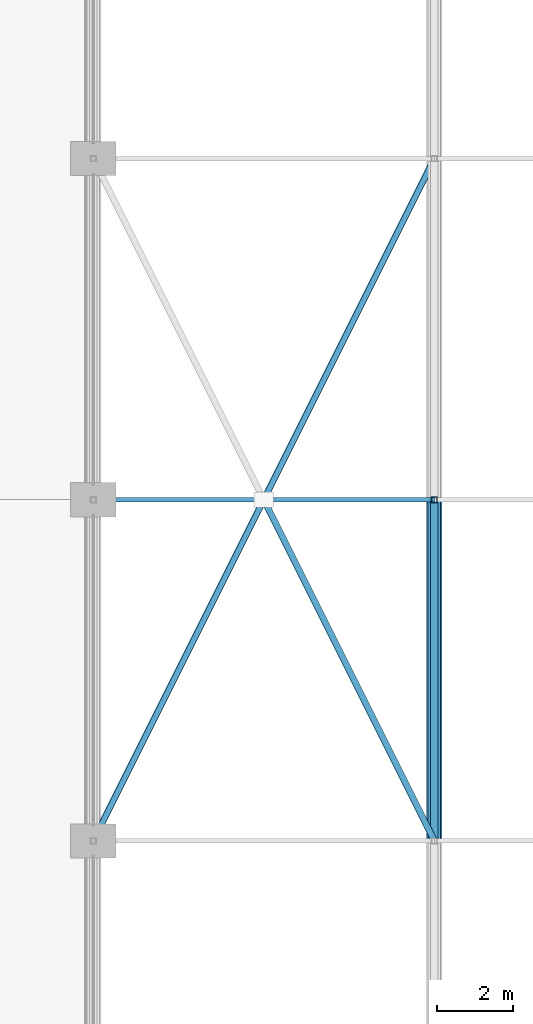
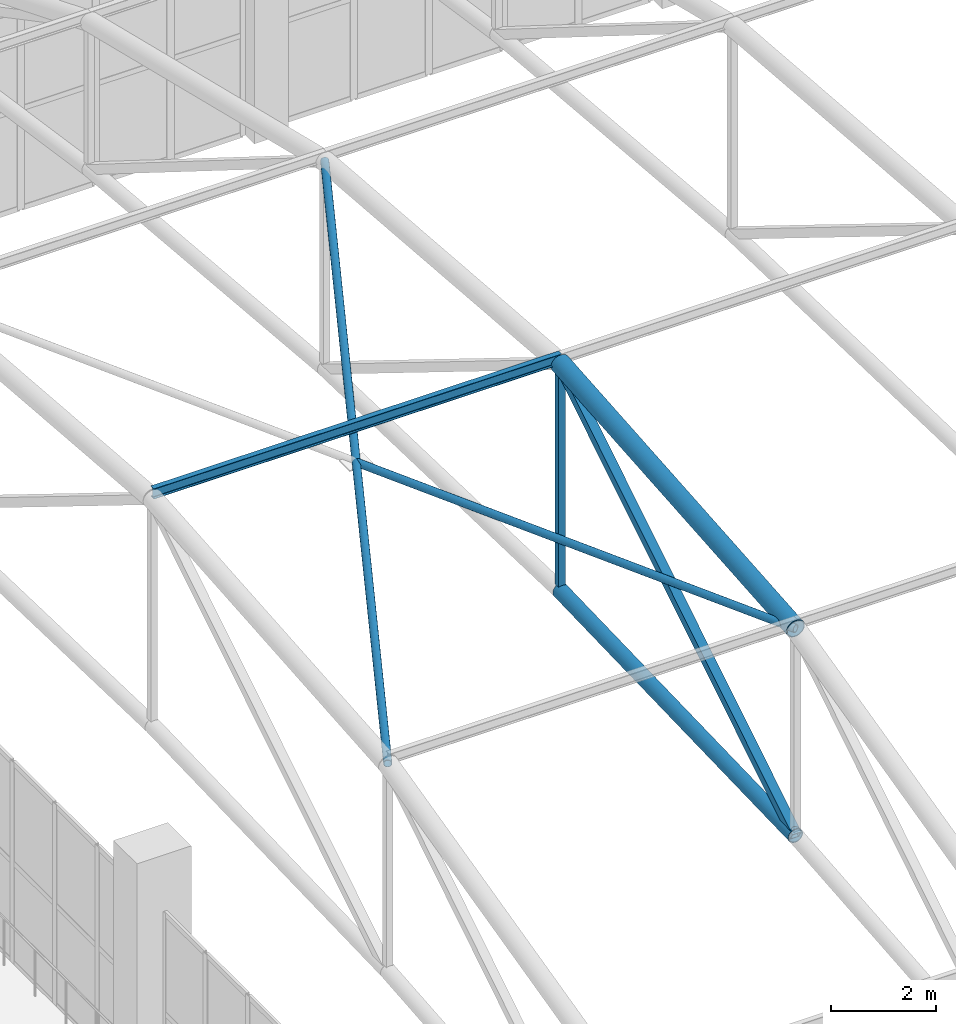
# One storey, part 113 of 223: 7 members.
"""IFC4 building model written with IfcOpenShell, lengths in metres."""

import ifcopenshell
import ifcopenshell.guid

model = None  # the IFC model being written
_history = None  # IfcOwnerHistory: only IFC2X3 demands one
_inside = {}  # id of a spatial element -> (the spatial element, [elements in it])
_under = {}  # id of a project, library or spatial element -> (it, [spatial elements below it])
_declared = {}  # id of a project -> (the project, [libraries it declares])
_typed = {}  # id of a type object -> (the type object, [elements of that type])
_made_of = {}  # id of a material, layer set ... -> (it, [elements and type objects made of it])


def new_model(schema):
    """Start an empty IFC model of exactly this schema.

    Asked for "IFC4X3", IfcOpenShell would pick the latest addendum, in which some entities
    have other attributes; the version numbers below select the first issue.
    IFC2X3 requires an IfcOwnerHistory on every rooted entity: one is made here for all.
    """
    global model, _history
    if schema == "IFC4X3":
        model = ifcopenshell.file(schema_version=(4, 3, 0, 0))
    else:
        model = ifcopenshell.file(schema=schema)
    _inside.clear()
    _under.clear()
    _declared.clear()
    _typed.clear()
    _made_of.clear()
    _history = None
    if model.schema == "IFC2X3":
        org = make("IfcOrganization", Name="unknown")
        user = make(
            "IfcPersonAndOrganization",
            ThePerson=make("IfcPerson", FamilyName="unknown"),
            TheOrganization=org,
        )
        app = make(
            "IfcApplication",
            ApplicationDeveloper=org,
            Version="unknown",
            ApplicationFullName="unknown",
            ApplicationIdentifier="unknown",
        )
        _history = make(
            "IfcOwnerHistory",
            OwningUser=user,
            OwningApplication=app,
            ChangeAction="ADDED",
            CreationDate=0,
        )
    return model


def make(cls, **values):
    """One entity of the class cls with the attributes given. An attribute that is None is left unset."""
    return model.create_entity(
        cls, **{name: value for name, value in values.items() if value is not None}
    )


def rooted(cls, **values):
    """An entity with a GlobalId (a new one), such as an element, a storey or a relation."""
    return make(cls, GlobalId=ifcopenshell.guid.new(), OwnerHistory=_history, **values)


def si_unit(unit_type, name, prefix=None):
    """IfcSIUnit, for example si_unit("LENGTHUNIT", "METRE", prefix="MILLI")."""
    return make("IfcSIUnit", UnitType=unit_type, Prefix=prefix, Name=name)


def assignment(units):
    """IfcUnitAssignment: the units of a project."""
    return None if units is None else make("IfcUnitAssignment", Units=units)


def point(xyz):
    """IfcCartesianPoint."""
    return None if xyz is None else make("IfcCartesianPoint", Coordinates=xyz)


def direction(xyz):
    """IfcDirection."""
    return None if xyz is None else make("IfcDirection", DirectionRatios=xyz)


def frame(location, z_axis=None, x_axis=None):
    """IfcAxis2Placement3D, a coordinate frame: its origin and axes. An axis left out is left unset."""
    return make(
        "IfcAxis2Placement3D",
        Location=point(location),
        Axis=direction(z_axis),
        RefDirection=direction(x_axis),
    )


def frame_2d(location, x_axis=None):
    """IfcAxis2Placement2D, a coordinate frame in the plane: its origin and x axis."""
    return make(
        "IfcAxis2Placement2D", Location=point(location), RefDirection=direction(x_axis)
    )


def origin():
    """The frame at (0, 0, 0) with its axes left unset."""
    return frame((0.0, 0.0, 0.0))


def origin_2d():
    """The frame at (0, 0) in the plane with its x axis left unset."""
    return frame_2d((0.0, 0.0))


def place(relative_to, where):
    """IfcLocalPlacement: puts the frame where relative to a parent placement (None: the world)."""
    return make(
        "IfcLocalPlacement", PlacementRelTo=relative_to, RelativePlacement=where
    )


def context(
    kind, dimensions, precision=None, world=None, true_north=None, identifier=None
):
    """IfcGeometricRepresentationContext, for example the 3D "Model" context."""
    return make(
        "IfcGeometricRepresentationContext",
        ContextIdentifier=identifier,
        ContextType=kind,
        CoordinateSpaceDimension=dimensions,
        Precision=precision,
        WorldCoordinateSystem=world,
        TrueNorth=true_north,
    )


def subcontext(parent, identifier, kind, view, scale=None):
    """IfcGeometricRepresentationSubContext, for example "Body" below "Model"."""
    return make(
        "IfcGeometricRepresentationSubContext",
        ContextIdentifier=identifier,
        ContextType=kind,
        ParentContext=parent,
        TargetScale=scale,
        TargetView=view,
    )


def project(units=None, contexts=None):
    """IfcProject with its units and contexts."""
    return rooted(
        "IfcProject",
        Name="project",
        RepresentationContexts=contexts,
        UnitsInContext=assignment(units),
    )


def spatial(cls, under=None, at=None, **own):
    """A site, building, storey or space (cls), placed at a placement, below another one or the project."""
    s = rooted(cls, ObjectPlacement=at, **own)
    if under is not None:
        _under.setdefault(under.id(), (under, []))[1].append(s)
    return s


def profile(cls, at=None, kind="AREA", **sizes):
    """A parametric profile (cls). Its sizes go by their IFC names, for example OverallWidth=200.0."""
    return make(cls, ProfileType=kind, Position=at, **sizes)


def hollow_rectangle(**sizes):
    """IfcRectangleHollowProfileDef."""
    return profile("IfcRectangleHollowProfileDef", **sizes)


def hollow_circle(**sizes):
    """IfcCircleHollowProfileDef."""
    return profile("IfcCircleHollowProfileDef", **sizes)


def i_section(**sizes):
    """IfcIShapeProfileDef."""
    return profile("IfcIShapeProfileDef", **sizes)


def extrude(swept, where, along, depth):
    """IfcExtrudedAreaSolid: the profile swept, set in the frame where, extruded along a direction by depth."""
    return make(
        "IfcExtrudedAreaSolid",
        SweptArea=swept,
        Position=where,
        ExtrudedDirection=direction(along),
        Depth=depth,
    )


def shape(context_of_items, identifier, shape_type, items):
    """IfcShapeRepresentation: the items that make up one representation, for example the "Body"."""
    return make(
        "IfcShapeRepresentation",
        ContextOfItems=context_of_items,
        RepresentationIdentifier=identifier,
        RepresentationType=shape_type,
        Items=items,
    )


def material(Name=None, Category=None):
    """IfcMaterial."""
    return make("IfcMaterial", Name=Name, Category=Category)


def material_profile(
    of_material, cross_section, Name=None, Category=None, Priority=None
):
    """IfcMaterialProfile: a cross section and its material."""
    return make(
        "IfcMaterialProfile",
        Name=Name,
        Material=of_material,
        Profile=cross_section,
        Priority=Priority,
        Category=Category,
    )


def profile_set(profiles, Name=None, composite=None):
    """IfcMaterialProfileSet."""
    return make(
        "IfcMaterialProfileSet",
        Name=Name,
        MaterialProfiles=profiles,
        CompositeProfile=composite,
    )


def made_of(thing, what):
    """Note that an element or type object is made of a material, layer set ...; save() writes the relation."""
    if what is not None:
        _made_of.setdefault(what.id(), (what, []))[1].append(thing)
    return thing


def type_object(cls, material=None, **own):
    """A type object (cls), such as IfcWallType, which elements share."""
    return made_of(rooted(cls, **own), material)


def element(
    cls,
    number,
    at=None,
    inside=None,
    cuts=None,
    type_object=None,
    material=None,
    context=None,
    identifier="Body",
    shape_type=None,
    held_by="IfcProductDefinitionShape",
    body=None,
    shapes=None,
    **own,
):
    """One element of the class cls, such as IfcWall. Its Tag is "e" and its number.

    at: its placement. inside: the storey or other place that contains it. cuts: it is an
    opening in that element (IfcRelVoidsElement). A single representation is given by context,
    identifier, shape_type and body (its items); several are given by shapes. held_by: the class
    of the entity that holds the representations. save() writes the other relations.
    """
    e = rooted(cls, Tag="e%d" % number, ObjectPlacement=at, **own)
    if body is not None:
        shapes = [shape(context, identifier, shape_type, body)]
    if shapes is not None:
        e.Representation = make(held_by, Representations=shapes)
    if inside is not None:
        _inside.setdefault(inside.id(), (inside, []))[1].append(e)
    if cuts is not None:
        rooted(
            "IfcRelVoidsElement", RelatingBuildingElement=cuts, RelatedOpeningElement=e
        )
    if type_object is not None:
        _typed.setdefault(type_object.id(), (type_object, []))[1].append(e)
    return made_of(e, material)


def aggregate(whole, parts):
    """IfcRelAggregates: a whole, such as a stair, and the parts it consists of."""
    return rooted("IfcRelAggregates", RelatingObject=whole, RelatedObjects=parts)


def save(model, path):
    """Write the relations noted so far, then the file.

    IfcRelAggregates (storeys below a building ...), IfcRelContainedInSpatialStructure (elements
    in a storey), IfcRelDefinesByType, IfcRelAssociatesMaterial and IfcRelDeclares: one each for
    every whole, place, type object, material and project.
    """
    for whole, parts in _under.values():
        aggregate(whole, parts)
    for where, things in _inside.values():
        rooted(
            "IfcRelContainedInSpatialStructure",
            RelatedElements=things,
            RelatingStructure=where,
        )
    for kind, things in _typed.values():
        rooted("IfcRelDefinesByType", RelatedObjects=things, RelatingType=kind)
    for what, things in _made_of.values():
        rooted("IfcRelAssociatesMaterial", RelatedObjects=things, RelatingMaterial=what)
    for by, libraries in _declared.values():
        rooted("IfcRelDeclares", RelatingContext=by, RelatedDefinitions=libraries)
    model.write(path)


model = new_model("IFC4")

# Units and contexts
model_context = context("Model", 3, precision=1e-05, world=origin(), true_north=direction((0.0, 1.0)))
body_context = subcontext(model_context, "Body", "Model", "MODEL_VIEW")
ifc_project = project(units=[si_unit("LENGTHUNIT", "METRE"), si_unit("AREAUNIT", "SQUARE_METRE"), si_unit("VOLUMEUNIT", "CUBIC_METRE"), si_unit("PLANEANGLEUNIT", "RADIAN"), si_unit("MASSUNIT", "GRAM", prefix="KILO")], contexts=[model_context])

# Site, building, storey
site_placement = place(None, origin())
site = spatial("IfcSite", under=ifc_project, at=site_placement, CompositionType="ELEMENT")
building_placement = place(site_placement, origin())
building = spatial("IfcBuilding", under=site, at=building_placement, Name="Dornveld Trade and Exhibition Forum", CompositionType="ELEMENT")
storey_placement = place(building_placement, frame((0.0, 0.0, 6.0)))
storey = spatial("IfcBuildingStorey", under=building, at=storey_placement, Name="L01", CompositionType="ELEMENT", Elevation=6.0)

# Members
ifc_material_1 = material(Name="Steel S355J2", Category="steel")
ifc_material_profile_1 = material_profile(ifc_material_1, hollow_circle(Radius=0.161865234375, WallThickness=0.01611328125, at=origin_2d()), Name="CHS 323.9x16")
ifc_profile_set_1 = profile_set([ifc_material_profile_1], Name="Steel S355J2")
member_type_1 = type_object("IfcMemberType", Name="MEM-ARCH-BC", PredefinedType="CHORD", material=ifc_profile_set_1)
member_1_placement = place(storey_placement, frame((108.0, 126.0, 8.4833984375), z_axis=(0.0, 0.999561545365, 0.029609407757), x_axis=(-1.0, 0.0, 0.0)))
element("IfcMember", 1, at=member_1_placement, inside=storey, type_object=member_type_1, Name="H1 truss 2 tie chord 3", PredefinedType="CHORD", context=body_context, shape_type="SweptSolid", body=[
    extrude(hollow_circle(Radius=0.161865234375, WallThickness=0.01611328125, at=origin_2d()), origin(), (0.0, 0.0, 1.0), 9.00390625),
])
ifc_material_2 = material(Name="Steel S355J2", Category="steel")
ifc_material_profile_2 = material_profile(ifc_material_2, hollow_rectangle(XDim=0.14990234375, YDim=0.14990234375, WallThickness=0.008056640625, at=origin_2d()), Name="SHS 150x150x8")
ifc_profile_set_2 = profile_set([ifc_material_profile_2], Name="Steel S355J2")
member_type_2 = type_object("IfcMemberType", Name="MEM-ARCH-STR", PredefinedType="STRUT", material=ifc_profile_set_2)
member_2_placement = place(storey_placement, frame((108.0, 135.0, 8.75), z_axis=(0.0, 0.0, 1.0), x_axis=(1.0, 0.0, 0.0)))
element("IfcMember", 2, at=member_2_placement, inside=storey, type_object=member_type_2, Name="H1 truss 2 strut 4", PredefinedType="STRUT", context=body_context, shape_type="SweptSolid", body=[
    extrude(hollow_rectangle(XDim=0.14990234375, YDim=0.14990234375, WallThickness=0.008056640625, at=origin_2d()), origin(), (0.0, 0.0, 1.0), 5.300048828125),
])
ifc_material_3 = material(Name="Steel S355J2", Category="steel")
ifc_material_profile_3 = material_profile(ifc_material_3, hollow_circle(Radius=0.203125, WallThickness=0.02001953125, at=origin_2d()), Name="CHS 406.4x20")
ifc_profile_set_3 = profile_set([ifc_material_profile_3], Name="Steel S355J2")
member_type_3 = type_object("IfcMemberType", Name="MEM-ARCH-TC", PredefinedType="CHORD", material=ifc_profile_set_3)
member_3_placement = place(storey_placement, frame((108.0, 126.0, 13.316650390625), z_axis=(0.0, 0.996696239312, 0.081219496064), x_axis=(-1.0, 0.0, 0.0)))
element("IfcMember", 3, at=member_3_placement, inside=storey, type_object=member_type_3, Name="H1 truss 2 top chord 3", PredefinedType="CHORD", context=body_context, shape_type="SweptSolid", body=[
    extrude(hollow_circle(Radius=0.203125, WallThickness=0.02001953125, at=origin_2d()), origin(), (0.0, 0.0, 1.0), 9.02978515625),
])
ifc_material_4 = material(Name="Steel S355J2", Category="steel")
ifc_material_profile_4 = material_profile(ifc_material_4, hollow_rectangle(XDim=0.199951171875, YDim=0.199951171875, WallThickness=0.010009765625, at=origin_2d()), Name="SHS 200x200x10")
ifc_profile_set_4 = profile_set([ifc_material_profile_4], Name="Steel S355J2")
member_type_4 = type_object("IfcMemberType", Name="MEM-ARCH-WEB", PredefinedType="BRACE", material=ifc_profile_set_4)
member_4_placement = place(storey_placement, frame((108.0, 126.0, 8.4833984375), z_axis=(0.0, 0.850467158024, 0.526028148603), x_axis=(-1.0, 0.0, 0.0)))
element("IfcMember", 4, at=member_4_placement, inside=storey, type_object=member_type_4, Name="H1 truss 2 web 3", PredefinedType="BRACE", context=body_context, shape_type="SweptSolid", body=[
    extrude(hollow_rectangle(XDim=0.199951171875, YDim=0.199951171875, WallThickness=0.010009765625, at=origin_2d()), origin(), (0.0, 0.0, 1.0), 10.58251953125),
])
ifc_material_5 = material(Name="Steel S355J2", Category="steel")
ifc_material_profile_5 = material_profile(ifc_material_5, hollow_circle(Radius=0.084228515625, WallThickness=0.008056640625, at=origin_2d()), Name="CHS 168.3x8")
ifc_profile_set_5 = profile_set([ifc_material_profile_5], Name="Steel S355J2")
member_type_5 = type_object("IfcMemberType", Name="MEM-BRACE-168", PredefinedType="BRACE", material=ifc_profile_set_5)
member_5_placement = place(storey_placement, frame((99.0, 126.0, 13.316650390625), z_axis=(0.4472135955, 0.894427191, 0.0), x_axis=(-0.894427191, 0.4472135955, 0.0)))
element("IfcMember", 5, at=member_5_placement, inside=storey, type_object=member_type_5, Name="H1 roof wind brace 1A", PredefinedType="BRACE", context=body_context, shape_type="SweptSolid", body=[
    extrude(hollow_circle(Radius=0.084228515625, WallThickness=0.008056640625, at=origin_2d()), origin(), (0.0, 0.0, 1.0), 20.12451171875),
])
member_6_placement = place(storey_placement, frame((103.5, 135.0, 13.316650390625), z_axis=(0.4472135955, -0.894427191, 0.0), x_axis=(0.894427191, 0.4472135955, 0.0)))
element("IfcMember", 6, at=member_6_placement, inside=storey, type_object=member_type_5, Name="H1 roof wind brace 1B2", PredefinedType="BRACE", context=body_context, shape_type="SweptSolid", body=[
    extrude(hollow_circle(Radius=0.084228515625, WallThickness=0.008056640625, at=origin_2d()), origin(), (0.0, 0.0, 1.0), 10.062255859375),
])
ifc_material_6 = material(Name="Steel S355J2", Category="steel")
ifc_material_profile_6 = material_profile(ifc_material_6, i_section(OverallWidth=0.1201171875, OverallDepth=0.239990234375, WebThickness=0.006103515625, FlangeThickness=0.009765625, FilletRadius=0.014892578125, at=origin_2d()), Name="IPE 240")
ifc_profile_set_6 = profile_set([ifc_material_profile_6], Name="Steel S355J2")
member_type_6 = type_object("IfcMemberType", Name="MEM-PURLIN-240", PredefinedType="PURLIN", material=ifc_profile_set_6)
member_7_placement = place(storey_placement, frame((99.0, 135.0, 14.181884765625), z_axis=(1.0, 0.0, 0.0), x_axis=(0.0, 1.0, 0.0)))
element("IfcMember", 7, at=member_7_placement, inside=storey, type_object=member_type_6, Name="H1 bay 1 roof purlin 4", PredefinedType="PURLIN", context=body_context, shape_type="SweptSolid", body=[
    extrude(i_section(OverallWidth=0.1201171875, OverallDepth=0.239990234375, WebThickness=0.006103515625, FlangeThickness=0.009765625, FilletRadius=0.014892578125, at=origin_2d()), origin(), (0.0, 0.0, 1.0), 9.0),
])

save(model, "model.ifc")
